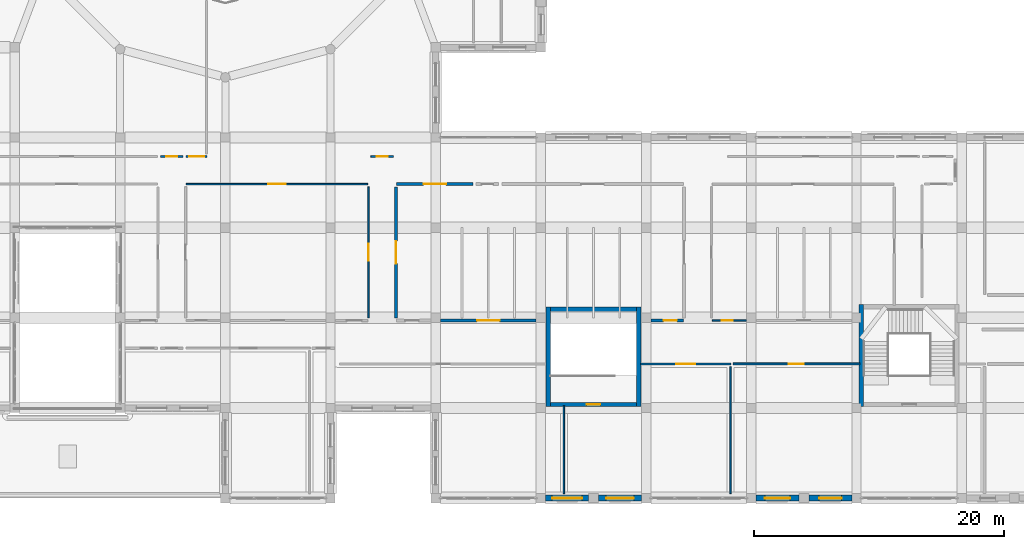
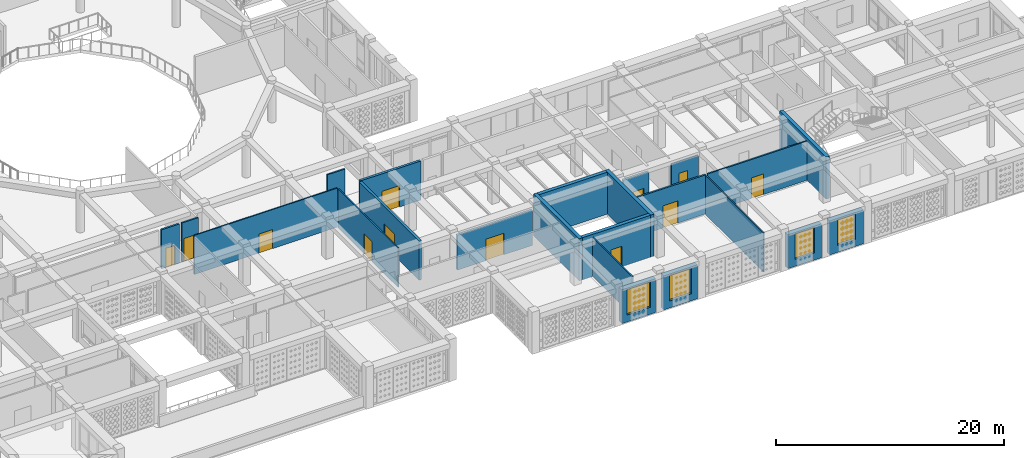
# One storey, part 62 of 111: 23 walls, 13 doors, 4 windows, 17 openings.
"""IFC4 building model written with IfcOpenShell, lengths in metres."""

from ifc_helpers import new_model, si_unit, derived_unit, direction, frame, frame_2d, origin, place, context, subcontext, project, spatial, rectangle, extrude, material, layer, layer_set, type_object, element, fill, save


model = new_model("IFC4")

# Units and contexts
model_context = context("Model", 3, precision=1e-05, world=origin(), true_north=direction((0.0, 1.0)))
body_context = subcontext(model_context, "Body", "Model", "MODEL_VIEW")
ifc_project = project(units=[si_unit("LENGTHUNIT", "METRE"), si_unit("AREAUNIT", "SQUARE_METRE"), si_unit("VOLUMEUNIT", "CUBIC_METRE"), si_unit("PLANEANGLEUNIT", "RADIAN"), si_unit("MASSUNIT", "GRAM", prefix="KILO"), derived_unit("THERMALTRANSMITTANCEUNIT", [(si_unit("POWERUNIT", "WATT"), 1), (si_unit("LENGTHUNIT", "METRE"), -2), (si_unit("THERMODYNAMICTEMPERATUREUNIT", "KELVIN"), -1)])], contexts=[model_context])

# Site, building, storey
site_placement = place(None, origin())
site = spatial("IfcSite", under=ifc_project, at=site_placement, CompositionType="ELEMENT")
building_placement = place(site_placement, origin())
building = spatial("IfcBuilding", under=site, at=building_placement, Name="Veybourne Emporium", CompositionType="ELEMENT")
storey_placement = place(building_placement, frame((0.0, 0.0, 9.89990234375)))
storey = spatial("IfcBuildingStorey", under=building, at=storey_placement, Name="L02", CompositionType="ELEMENT", Elevation=9.89990234375)

# Wall, opening, window
ifc_material_1 = material(Name="Portland Limestone Ashlar", Category="masonry")
ifc_layer_1 = layer(ifc_material_1, 0.47998046875)
ifc_layer_set_1 = layer_set([ifc_layer_1], Name="Portland Limestone Ashlar")
wall_type_1 = type_object("IfcWallType", Name="ExtWall_EW-01", PredefinedType="SOLIDWALL", material=ifc_layer_set_1)
wall_1_placement = place(storey_placement, frame((108.824951171875, 0.0, 0.0), z_axis=(0.0, 0.0, 1.0), x_axis=(-1.0, 0.0, 0.0)))
wall_1 = element("IfcWall", 1, at=wall_1_placement, inside=storey, type_object=wall_type_1, Name="L02 Portland stone external wall 061A", PredefinedType="SOLIDWALL", context=body_context, shape_type="SweptSolid", body=[
    extrude(rectangle(XDim=3.425048828125, YDim=0.47998046875, at=frame_2d((1.71240234375, 0.0))), origin(), (0.0, 0.0, 1.0), 3.630126953125),
])
opening_1_placement = place(wall_1_placement, frame((0.612548828125, 0.0, 0.75)))
opening_1 = element("IfcOpeningElement", 2, at=opening_1_placement, cuts=wall_1, Name="Opening W-46", PredefinedType="OPENING", context=body_context, shape_type="SweptSolid", body=[
    extrude(rectangle(XDim=2.199951171875, YDim=2.72998046875, at=frame_2d((1.10009765625, 1.364990234375))), frame((0.0, 0.260009765625, 0.0), z_axis=(0.0, -1.0, 0.0), x_axis=(1.0, 0.0, 0.0)), (0.0, 0.0, 1.0), 0.52001953125),
])
ifc_material_2 = material(Name="Low-E Triple Glazing", Category="glass")
window_type_1 = type_object("IfcWindowType", Name="Win_W-46", PartitioningType="TRIPLE_PANEL_VERTICAL", PredefinedType="WINDOW", material=ifc_material_2)
window_1_placement = place(opening_1_placement, origin())
window_1 = element("IfcWindow", 3, at=window_1_placement, inside=storey, type_object=window_type_1, Name="L02 tripartite bronze casement window W-46 (61A)", OverallHeight=2.72998046875, OverallWidth=2.199951171875, PartitioningType="TRIPLE_PANEL_VERTICAL", PredefinedType="WINDOW", context=body_context, shape_type="SweptSolid", body=[
    extrude(rectangle(XDim=2.199951171875, YDim=2.72998046875, at=frame_2d((1.10009765625, 1.364990234375))), frame((0.0, 0.030029296875, 0.0), z_axis=(0.0, -1.0, 0.0), x_axis=(1.0, 0.0, 0.0)), (0.0, 0.0, 1.0), 0.06005859375),
])
fill(opening_1, window_1)

wall_2_placement = place(storey_placement, frame((104.60009765625, 0.0, 0.0), z_axis=(0.0, 0.0, 1.0), x_axis=(-1.0, 0.0, 0.0)))
wall_2 = element("IfcWall", 4, at=wall_2_placement, inside=storey, type_object=wall_type_1, Name="L02 Portland stone external wall 061B", PredefinedType="SOLIDWALL", context=body_context, shape_type="SweptSolid", body=[
    extrude(rectangle(XDim=3.425048828125, YDim=0.47998046875, at=frame_2d((1.71240234375, 0.0))), origin(), (0.0, 0.0, 1.0), 3.630126953125),
])
opening_2_placement = place(wall_2_placement, frame((0.512451171875, 0.0, 0.75)))
opening_2 = element("IfcOpeningElement", 5, at=opening_2_placement, cuts=wall_2, Name="Opening W-47", PredefinedType="OPENING", context=body_context, shape_type="SweptSolid", body=[
    extrude(rectangle(XDim=2.39990234375, YDim=2.72998046875, at=frame_2d((1.199951171875, 1.364990234375))), frame((0.0, 0.260009765625, 0.0), z_axis=(0.0, -1.0, 0.0), x_axis=(1.0, 0.0, 0.0)), (0.0, 0.0, 1.0), 0.52001953125),
])
window_type_2 = type_object("IfcWindowType", Name="Win_W-47", PartitioningType="TRIPLE_PANEL_VERTICAL", PredefinedType="WINDOW", material=ifc_material_2)
window_2_placement = place(opening_2_placement, origin())
window_2 = element("IfcWindow", 6, at=window_2_placement, inside=storey, type_object=window_type_2, Name="L02 tripartite bronze casement window W-47 (61B)", OverallHeight=2.72998046875, OverallWidth=2.39990234375, PartitioningType="TRIPLE_PANEL_VERTICAL", PredefinedType="WINDOW", context=body_context, shape_type="SweptSolid", body=[
    extrude(rectangle(XDim=2.39990234375, YDim=2.72998046875, at=frame_2d((1.199951171875, 1.364990234375))), frame((0.0, 0.030029296875, 0.0), z_axis=(0.0, -1.0, 0.0), x_axis=(1.0, 0.0, 0.0)), (0.0, 0.0, 1.0), 0.06005859375),
])
fill(opening_2, window_2)

wall_3_placement = place(storey_placement, frame((125.625, 0.0, 0.0), z_axis=(0.0, 0.0, 1.0), x_axis=(-1.0, 0.0, 0.0)))
wall_3 = element("IfcWall", 7, at=wall_3_placement, inside=storey, type_object=wall_type_1, Name="L02 Portland stone external wall 065A", PredefinedType="SOLIDWALL", context=body_context, shape_type="SweptSolid", body=[
    extrude(rectangle(XDim=3.425048828125, YDim=0.47998046875, at=frame_2d((1.71240234375, 0.0))), origin(), (0.0, 0.0, 1.0), 3.630126953125),
])
opening_3_placement = place(wall_3_placement, frame((0.8125, 0.0, 0.75)))
opening_3 = element("IfcOpeningElement", 8, at=opening_3_placement, cuts=wall_3, Name="Opening W-52", PredefinedType="OPENING", context=body_context, shape_type="SweptSolid", body=[
    extrude(rectangle(XDim=1.800048828125, YDim=2.72998046875, at=frame_2d((0.89990234375, 1.364990234375))), frame((0.0, 0.260009765625, 0.0), z_axis=(0.0, -1.0, 0.0), x_axis=(1.0, 0.0, 0.0)), (0.0, 0.0, 1.0), 0.52001953125),
])
window_type_3 = type_object("IfcWindowType", Name="Win_W-52", PartitioningType="DOUBLE_PANEL_VERTICAL", PredefinedType="WINDOW", material=ifc_material_2)
window_3_placement = place(opening_3_placement, origin())
window_3 = element("IfcWindow", 9, at=window_3_placement, inside=storey, type_object=window_type_3, Name="L02 tripartite bronze casement window W-52 (65A)", OverallHeight=2.72998046875, OverallWidth=1.800048828125, PartitioningType="DOUBLE_PANEL_VERTICAL", PredefinedType="WINDOW", context=body_context, shape_type="SweptSolid", body=[
    extrude(rectangle(XDim=1.800048828125, YDim=2.72998046875, at=frame_2d((0.89990234375, 1.364990234375))), frame((0.0, 0.030029296875, 0.0), z_axis=(0.0, -1.0, 0.0), x_axis=(1.0, 0.0, 0.0)), (0.0, 0.0, 1.0), 0.06005859375),
])
fill(opening_3, window_3)

wall_4_placement = place(storey_placement, frame((121.39990234375, 0.0, 0.0), z_axis=(0.0, 0.0, 1.0), x_axis=(-1.0, 0.0, 0.0)))
wall_4 = element("IfcWall", 10, at=wall_4_placement, inside=storey, type_object=wall_type_1, Name="L02 Portland stone external wall 065B", PredefinedType="SOLIDWALL", context=body_context, shape_type="SweptSolid", body=[
    extrude(rectangle(XDim=3.4248046875, YDim=0.47998046875, at=frame_2d((1.71240234375, 0.0))), origin(), (0.0, 0.0, 1.0), 3.630126953125),
])
opening_4_placement = place(wall_4_placement, frame((0.71240234375, 0.0, 0.75)))
opening_4 = element("IfcOpeningElement", 11, at=opening_4_placement, cuts=wall_4, Name="Opening W-53", PredefinedType="OPENING", context=body_context, shape_type="SweptSolid", body=[
    extrude(rectangle(XDim=2.0, YDim=2.72998046875, at=frame_2d((1.0, 1.364990234375))), frame((0.0, 0.260009765625, 0.0), z_axis=(0.0, -1.0, 0.0), x_axis=(1.0, 0.0, 0.0)), (0.0, 0.0, 1.0), 0.52001953125),
])
window_type_4 = type_object("IfcWindowType", Name="Win_W-53", PartitioningType="TRIPLE_PANEL_VERTICAL", PredefinedType="WINDOW", material=ifc_material_2)
window_4_placement = place(opening_4_placement, origin())
window_4 = element("IfcWindow", 12, at=window_4_placement, inside=storey, type_object=window_type_4, Name="L02 tripartite bronze casement window W-53 (65B)", OverallHeight=2.72998046875, OverallWidth=2.0, PartitioningType="TRIPLE_PANEL_VERTICAL", PredefinedType="WINDOW", context=body_context, shape_type="SweptSolid", body=[
    extrude(rectangle(XDim=2.0, YDim=2.72998046875, at=frame_2d((1.0, 1.364990234375))), frame((0.0, 0.030029296875, 0.0), z_axis=(0.0, -1.0, 0.0), x_axis=(1.0, 0.0, 0.0)), (0.0, 0.0, 1.0), 0.06005859375),
])
fill(opening_4, window_4)

# Wall
ifc_material_3 = material(Name="Concrete C40/50", Category="concrete")
ifc_layer_2 = layer(ifc_material_3, 0.35009765625)
ifc_layer_set_2 = layer_set([ifc_layer_2], Name="Concrete C40/50")
wall_type_2 = type_object("IfcWallType", Name="IntWall_CW-02", PredefinedType="SHEAR", material=ifc_layer_set_2)
wall_5_placement = place(storey_placement, frame((126.375, 15.449951171875, 0.0), z_axis=(0.0, 0.0, 1.0), x_axis=(0.0, -1.0, 0.0)))
element("IfcWall", 13, at=wall_5_placement, inside=storey, type_object=wall_type_2, Name="Core stair ST-06 west shear wall (L02)", PredefinedType="SHEAR", context=body_context, shape_type="SweptSolid", body=[
    extrude(rectangle(XDim=8.14990234375, YDim=0.35009765625, at=frame_2d((4.074951171875, 0.0))), origin(), (0.0, 0.0, 1.0), 4.5),
])

# Wall, opening, door
wall_6_placement = place(storey_placement, frame((108.449951171875, 7.47509765625, 0.0), z_axis=(0.0, 0.0, 1.0), x_axis=(-1.0, 0.0, 0.0)))
wall_6 = element("IfcWall", 14, at=wall_6_placement, inside=storey, type_object=wall_type_2, Name="Core stair ST-11 south shear wall (L02)", PredefinedType="SHEAR", context=body_context, shape_type="SweptSolid", body=[
    extrude(rectangle(XDim=6.89990234375, YDim=0.35009765625, at=frame_2d((3.449951171875, 0.0))), origin(), (0.0, 0.0, 1.0), 4.5),
])
opening_5_placement = place(wall_6_placement, frame((2.89990234375, 0.0, 0.0)))
opening_5 = element("IfcOpeningElement", 15, at=opening_5_placement, cuts=wall_6, Name="Opening FD-01", PredefinedType="OPENING", context=body_context, shape_type="SweptSolid", body=[
    extrude(rectangle(XDim=1.10009765625, YDim=2.199951171875, at=frame_2d((0.550048828125, 1.10009765625))), frame((0.0, 0.195068359375, 0.0), z_axis=(0.0, -1.0, 0.0), x_axis=(1.0, 0.0, 0.0)), (0.0, 0.0, 1.0), 0.39013671875),
])
ifc_material_4 = material(Name="Patinated Architectural Bronze", Category="bronze")
door_type_1 = type_object("IfcDoorType", Name="FireDoor_FD-01", OperationType="NOTDEFINED", PredefinedType="DOOR", material=ifc_material_4)
door_1_placement = place(opening_5_placement, origin())
door_1 = element("IfcDoor", 16, at=door_1_placement, inside=storey, type_object=door_type_1, Name="Stair ST-11 fire door (L02)", OperationType="SINGLE_SWING_RIGHT", OverallHeight=2.199951171875, OverallWidth=1.10009765625, PredefinedType="DOOR", context=body_context, shape_type="SweptSolid", body=[
    extrude(rectangle(XDim=1.10009765625, YDim=2.199951171875, at=frame_2d((0.550048828125, 1.10009765625))), frame((0.0, 0.02490234375, 0.0), z_axis=(0.0, -1.0, 0.0), x_axis=(1.0, 0.0, 0.0)), (0.0, 0.0, 1.0), 0.050048828125),
])
fill(opening_5, door_1)

# Walls
wall_7_placement = place(storey_placement, frame((101.550048828125, 15.074951171875, 0.0), z_axis=(0.0, 0.0, 1.0), x_axis=(1.0, 0.0, 0.0)))
element("IfcWall", 17, at=wall_7_placement, inside=storey, type_object=wall_type_2, Name="Core stair ST-11 north shear wall (L02)", PredefinedType="SHEAR", context=body_context, shape_type="SweptSolid", body=[
    extrude(rectangle(XDim=6.89990234375, YDim=0.35009765625, at=frame_2d((3.449951171875, 0.0))), origin(), (0.0, 0.0, 1.0), 4.5),
])
for number, where, z_axis, x_axis, name in (
    (18, (101.375, 15.25, 0.0), (0.0, 0.0, 1.0), (0.0, -1.0, 0.0), "Core stair ST-11 west shear wall (L02)"),
    (19, (108.625, 7.300048828125, 0.0), (0.0, 0.0, 1.0), (0.0, 1.0, 0.0), "Core stair ST-11 east shear wall (L02)"),
):
    element("IfcWall", number, at=place(storey_placement, frame(where, z_axis=z_axis, x_axis=x_axis)), inside=storey, type_object=wall_type_2, Name=name, PredefinedType="SHEAR", context=body_context, shape_type="SweptSolid", body=[
        extrude(rectangle(XDim=7.949951171875, YDim=0.35009765625, at=frame_2d((3.97509765625, 0.0))), origin(), (0.0, 0.0, 1.0), 4.5),
    ])

# Wall, opening, door
ifc_material_5 = material(Name="Concrete C32/40", Category="concrete")
ifc_layer_3 = layer(ifc_material_5, 0.25)
ifc_layer_set_3 = layer_set([ifc_layer_3], Name="Concrete C32/40")
wall_type_3 = type_object("IfcWallType", Name="IntWall_FW-01", PredefinedType="SOLIDWALL", material=ifc_layer_set_3)
wall_8_placement = place(storey_placement, frame((92.794921875, 14.179931640625, 0.0), z_axis=(0.0, 0.0, 1.0), x_axis=(1.0, 0.0, 0.0)))
wall_8 = element("IfcWall", 20, at=wall_8_placement, inside=storey, type_object=wall_type_3, Name="L02 interior partition FW-01 #044", PredefinedType="SOLIDWALL", context=body_context, shape_type="SweptSolid", body=[
    extrude(rectangle(XDim=7.610107421875, YDim=0.25, at=frame_2d((3.80517578125, 0.0))), origin(), (0.0, 0.0, 1.0), 3.72998046875),
])
opening_6_placement = place(wall_8_placement, frame((2.905029296875, 0.0, 0.0)))
opening_6 = element("IfcOpeningElement", 21, at=opening_6_placement, cuts=wall_8, Name="Opening FD-03", PredefinedType="OPENING", context=body_context, shape_type="SweptSolid", body=[
    extrude(rectangle(XDim=1.800048828125, YDim=2.300048828125, at=frame_2d((0.89990234375, 1.14990234375))), frame((0.0, 0.14501953125, 0.0), z_axis=(0.0, -1.0, 0.0), x_axis=(1.0, 0.0, 0.0)), (0.0, 0.0, 1.0), 0.2900390625),
])
door_type_2 = type_object("IfcDoorType", Name="FireDoor_FD-03", OperationType="DOUBLE_DOOR_SINGLE_SWING", PredefinedType="DOOR", material=ifc_material_4)
door_2_placement = place(opening_6_placement, origin())
door_2 = element("IfcDoor", 22, at=door_2_placement, inside=storey, type_object=door_type_2, Name="L02 interior door FD-03 (PART-L02-044)", OperationType="DOUBLE_DOOR_SINGLE_SWING", OverallHeight=2.300048828125, OverallWidth=1.800048828125, PredefinedType="DOOR", context=body_context, shape_type="SweptSolid", body=[
    extrude(rectangle(XDim=1.800048828125, YDim=2.300048828125, at=frame_2d((0.89990234375, 1.14990234375))), frame((0.0, 0.02490234375, 0.0), z_axis=(0.0, -1.0, 0.0), x_axis=(1.0, 0.0, 0.0)), (0.0, 0.0, 1.0), 0.050048828125),
])
fill(opening_6, door_2)

wall_9_placement = place(storey_placement, frame((89.22998046875, 14.389892578125, 0.0), z_axis=(0.0, 0.0, 1.0), x_axis=(0.0, 1.0, 0.0)))
wall_9 = element("IfcWall", 23, at=wall_9_placement, inside=storey, type_object=wall_type_3, Name="L02 interior partition FW-01 #064", PredefinedType="SOLIDWALL", context=body_context, shape_type="SweptSolid", body=[
    extrude(rectangle(XDim=10.47021484375, YDim=0.25, at=frame_2d((5.235107421875, 0.0))), origin(), (0.0, 0.0, 1.0), 4.18017578125),
])
opening_7_placement = place(wall_9_placement, frame((4.3349609375, 0.0, 0.0)))
opening_7 = element("IfcOpeningElement", 24, at=opening_7_placement, cuts=wall_9, Name="Opening FD-03", PredefinedType="OPENING", context=body_context, shape_type="SweptSolid", body=[
    extrude(rectangle(XDim=1.800048828125, YDim=2.300048828125, at=frame_2d((0.89990234375, 1.14990234375))), frame((0.0, 0.14501953125, 0.0), z_axis=(0.0, -1.0, 0.0), x_axis=(1.0, 0.0, 0.0)), (0.0, 0.0, 1.0), 0.2900390625),
])
door_3_placement = place(opening_7_placement, origin())
door_3 = element("IfcDoor", 25, at=door_3_placement, inside=storey, type_object=door_type_2, Name="L02 interior door FD-03 (PART-L02-064)", OperationType="DOUBLE_DOOR_SINGLE_SWING", OverallHeight=2.300048828125, OverallWidth=1.800048828125, PredefinedType="DOOR", context=body_context, shape_type="SweptSolid", body=[
    extrude(rectangle(XDim=1.800048828125, YDim=2.300048828125, at=frame_2d((0.89990234375, 1.14990234375))), frame((0.0, 0.02490234375, 0.0), z_axis=(0.0, -1.0, 0.0), x_axis=(1.0, 0.0, 0.0)), (0.0, 0.0, 1.0), 0.050048828125),
])
fill(opening_7, door_3)

wall_10_placement = place(storey_placement, frame((89.280029296875, 25.070068359375, 0.0), z_axis=(0.0, 0.0, 1.0), x_axis=(1.0, 0.0, 0.0)))
wall_10 = element("IfcWall", 26, at=wall_10_placement, inside=storey, type_object=wall_type_3, Name="L02 interior partition FW-01 #082", PredefinedType="SOLIDWALL", context=body_context, shape_type="SweptSolid", body=[
    extrude(rectangle(XDim=6.090087890625, YDim=0.25, at=frame_2d((3.044921875, 0.0))), origin(), (0.0, 0.0, 1.0), 4.18017578125),
])
opening_8_placement = place(wall_10_placement, frame((2.14501953125, 0.0, 0.0)))
opening_8 = element("IfcOpeningElement", 27, at=opening_8_placement, cuts=wall_10, Name="Opening FD-03", PredefinedType="OPENING", context=body_context, shape_type="SweptSolid", body=[
    extrude(rectangle(XDim=1.800048828125, YDim=2.300048828125, at=frame_2d((0.89990234375, 1.14990234375))), frame((0.0, 0.14501953125, 0.0), z_axis=(0.0, -1.0, 0.0), x_axis=(1.0, 0.0, 0.0)), (0.0, 0.0, 1.0), 0.2900390625),
])
door_4_placement = place(opening_8_placement, origin())
door_4 = element("IfcDoor", 28, at=door_4_placement, inside=storey, type_object=door_type_2, Name="L02 interior door FD-03 (PART-L02-082)", OperationType="DOUBLE_DOOR_SINGLE_SWING", OverallHeight=2.300048828125, OverallWidth=1.800048828125, PredefinedType="DOOR", context=body_context, shape_type="SweptSolid", body=[
    extrude(rectangle(XDim=1.800048828125, YDim=2.300048828125, at=frame_2d((0.89990234375, 1.14990234375))), frame((0.0, 0.02490234375, 0.0), z_axis=(0.0, -1.0, 0.0), x_axis=(1.0, 0.0, 0.0)), (0.0, 0.0, 1.0), 0.050048828125),
])
fill(opening_8, door_4)

wall_11_placement = place(storey_placement, frame((109.594970703125, 14.179931640625, 0.0), z_axis=(0.0, 0.0, 1.0), x_axis=(1.0, 0.0, 0.0)))
wall_11 = element("IfcWall", 29, at=wall_11_placement, inside=storey, type_object=wall_type_3, Name="L02 interior partition FW-01 #100", PredefinedType="SOLIDWALL", context=body_context, shape_type="SweptSolid", body=[
    extrude(rectangle(XDim=2.574951171875, YDim=0.25, at=frame_2d((1.28759765625, 0.0))), origin(), (0.0, 0.0, 1.0), 3.72998046875),
])
opening_9_placement = place(wall_11_placement, frame((1.006591796875, 0.0, 0.0)))
opening_9 = element("IfcOpeningElement", 30, at=opening_9_placement, cuts=wall_11, Name="Opening FD-02", PredefinedType="OPENING", context=body_context, shape_type="SweptSolid", body=[
    extrude(rectangle(XDim=1.050048828125, YDim=2.14990234375, at=frame_2d((0.52490234375, 1.074951171875))), frame((0.0, 0.14501953125, 0.0), z_axis=(0.0, -1.0, 0.0), x_axis=(1.0, 0.0, 0.0)), (0.0, 0.0, 1.0), 0.2900390625),
])
door_type_3 = type_object("IfcDoorType", Name="FireDoor_FD-02", OperationType="NOTDEFINED", PredefinedType="DOOR", material=ifc_material_4)
door_5_placement = place(opening_9_placement, origin())
door_5 = element("IfcDoor", 31, at=door_5_placement, inside=storey, type_object=door_type_3, Name="L02 interior door FD-02 (PART-L02-100)", OperationType="SINGLE_SWING_RIGHT", OverallHeight=2.14990234375, OverallWidth=1.050048828125, PredefinedType="DOOR", context=body_context, shape_type="SweptSolid", body=[
    extrude(rectangle(XDim=1.050048828125, YDim=2.14990234375, at=frame_2d((0.52490234375, 1.074951171875))), frame((0.0, 0.02490234375, 0.0), z_axis=(0.0, -1.0, 0.0), x_axis=(1.0, 0.0, 0.0)), (0.0, 0.0, 1.0), 0.050048828125),
])
fill(opening_9, door_5)

ifc_material_6 = material(Name="Gypsum Acoustic Board", Category="gypsum")
ifc_layer_4 = layer(ifc_material_6, 0.179931640625)
ifc_layer_set_4 = layer_set([ifc_layer_4], Name="Gypsum Acoustic Board")
wall_type_4 = type_object("IfcWallType", Name="IntWall_IW-01", PredefinedType="PARTITIONING", material=ifc_layer_set_4)
wall_12_placement = place(storey_placement, frame((108.739990234375, 10.719970703125, 0.0), z_axis=(0.0, 0.0, 1.0), x_axis=(1.0, 0.0, 0.0)))
wall_12 = element("IfcWall", 32, at=wall_12_placement, inside=storey, type_object=wall_type_4, Name="L02 interior partition IW-01 #081", PredefinedType="PARTITIONING", context=body_context, shape_type="SweptSolid", body=[
    extrude(rectangle(XDim=7.239990234375, YDim=0.179931640625, at=frame_2d((3.6201171875, 0.0))), origin(), (0.0, 0.0, 1.0), 4.18017578125),
])
opening_10_placement = place(wall_12_placement, frame((2.860107421875, 0.0, 0.0)))
opening_10 = element("IfcOpeningElement", 33, at=opening_10_placement, cuts=wall_12, Name="Opening D-29", PredefinedType="OPENING", context=body_context, shape_type="SweptSolid", body=[
    extrude(rectangle(XDim=1.52001953125, YDim=2.3701171875, at=frame_2d((0.760009765625, 1.18505859375))), frame((0.0, 0.10986328125, 0.0), z_axis=(0.0, -1.0, 0.0), x_axis=(1.0, 0.0, 0.0)), (0.0, 0.0, 1.0), 0.219970703125),
])
ifc_material_7 = material(Name="European Oak Veneer and Bronze", Category="wood")
door_type_4 = type_object("IfcDoorType", Name="IntDoor_D-29", OperationType="NOTDEFINED", PredefinedType="DOOR", material=ifc_material_7)
door_6_placement = place(opening_10_placement, origin())
door_6 = element("IfcDoor", 34, at=door_6_placement, inside=storey, type_object=door_type_4, Name="L02 interior door D-29 (PART-L02-081)", OperationType="SINGLE_SWING_LEFT", OverallHeight=2.3701171875, OverallWidth=1.52001953125, PredefinedType="DOOR", context=body_context, shape_type="SweptSolid", body=[
    extrude(rectangle(XDim=1.52001953125, YDim=2.3701171875, at=frame_2d((0.760009765625, 1.18505859375))), frame((0.0, 0.02490234375, 0.0), z_axis=(0.0, -1.0, 0.0), x_axis=(1.0, 0.0, 0.0)), (0.0, 0.0, 1.0), 0.050048828125),
])
fill(opening_10, door_6)

wall_13_placement = place(storey_placement, frame((70.429931640625, 27.280029296875, 0.0), z_axis=(0.0, 0.0, 1.0), x_axis=(1.0, 0.0, 0.0)))
wall_13 = element("IfcWall", 35, at=wall_13_placement, inside=storey, type_object=wall_type_4, Name="L02 interior partition IW-01 #153", PredefinedType="PARTITIONING", context=body_context, shape_type="SweptSolid", body=[
    extrude(rectangle(XDim=1.7900390625, YDim=0.179931640625, at=frame_2d((0.89501953125, 0.0))), origin(), (0.0, 0.0, 1.0), 4.18017578125),
])
opening_11_placement = place(wall_13_placement, frame((0.455078125, 0.0, 0.0)))
opening_11 = element("IfcOpeningElement", 36, at=opening_11_placement, cuts=wall_13, Name="Opening D-01", PredefinedType="OPENING", context=body_context, shape_type="SweptSolid", body=[
    extrude(rectangle(XDim=0.8798828125, YDim=2.050048828125, at=frame_2d((0.43994140625, 1.02490234375))), frame((0.0, 0.10986328125, 0.0), z_axis=(0.0, -1.0, 0.0), x_axis=(1.0, 0.0, 0.0)), (0.0, 0.0, 1.0), 0.219970703125),
])
door_type_5 = type_object("IfcDoorType", Name="IntDoor_D-01", OperationType="NOTDEFINED", PredefinedType="DOOR", material=ifc_material_7)
door_7_placement = place(opening_11_placement, origin())
door_7 = element("IfcDoor", 37, at=door_7_placement, inside=storey, type_object=door_type_5, Name="L02 interior door D-01 (PART-L02-153)", OperationType="SINGLE_SWING_LEFT", OverallHeight=2.050048828125, OverallWidth=0.8798828125, PredefinedType="DOOR", context=body_context, shape_type="SweptSolid", body=[
    extrude(rectangle(XDim=0.8798828125, YDim=2.050048828125, at=frame_2d((0.43994140625, 1.02490234375))), frame((0.0, 0.02490234375, 0.0), z_axis=(0.0, -1.0, 0.0), x_axis=(1.0, 0.0, 0.0)), (0.0, 0.0, 1.0), 0.050048828125),
])
fill(opening_11, door_7)

ifc_layer_5 = layer(ifc_material_6, 0.14990234375)
ifc_layer_set_5 = layer_set([ifc_layer_5], Name="Gypsum Acoustic Board")
wall_type_5 = type_object("IfcWallType", Name="IntWall_IW-02", PredefinedType="PARTITIONING", material=ifc_layer_set_5)
wall_14_placement = place(storey_placement, frame((116.139892578125, 10.719970703125, 0.0), z_axis=(0.0, 0.0, 1.0), x_axis=(1.0, 0.0, 0.0)))
wall_14 = element("IfcWall", 38, at=wall_14_placement, inside=storey, type_object=wall_type_5, Name="L02 interior partition IW-02 #067", PredefinedType="PARTITIONING", context=body_context, shape_type="SweptSolid", body=[
    extrude(rectangle(XDim=10.1201171875, YDim=0.14990234375, at=frame_2d((5.06005859375, 0.0))), origin(), (0.0, 0.0, 1.0), 4.18017578125),
])
opening_12_placement = place(wall_14_placement, frame((4.4599609375, 0.0, 0.0)))
opening_12 = element("IfcOpeningElement", 39, at=opening_12_placement, cuts=wall_14, Name="Opening D-15", PredefinedType="OPENING", context=body_context, shape_type="SweptSolid", body=[
    extrude(rectangle(XDim=1.199951171875, YDim=2.2099609375, at=frame_2d((0.60009765625, 1.10498046875))), frame((0.0, 0.094970703125, 0.0), z_axis=(0.0, -1.0, 0.0), x_axis=(1.0, 0.0, 0.0)), (0.0, 0.0, 1.0), 0.18994140625),
])
door_type_6 = type_object("IfcDoorType", Name="IntDoor_D-15", OperationType="NOTDEFINED", PredefinedType="DOOR", material=ifc_material_7)
door_8_placement = place(opening_12_placement, origin())
door_8 = element("IfcDoor", 40, at=door_8_placement, inside=storey, type_object=door_type_6, Name="L02 interior door D-15 (PART-L02-067)", OperationType="SINGLE_SWING_RIGHT", OverallHeight=2.2099609375, OverallWidth=1.199951171875, PredefinedType="DOOR", context=body_context, shape_type="SweptSolid", body=[
    extrude(rectangle(XDim=1.199951171875, YDim=2.2099609375, at=frame_2d((0.60009765625, 1.10498046875))), frame((0.0, 0.02490234375, 0.0), z_axis=(0.0, -1.0, 0.0), x_axis=(1.0, 0.0, 0.0)), (0.0, 0.0, 1.0), 0.050048828125),
])
fill(opening_12, door_8)

wall_15_placement = place(storey_placement, frame((87.22998046875, 27.280029296875, 0.0), z_axis=(0.0, 0.0, 1.0), x_axis=(1.0, 0.0, 0.0)))
wall_15 = element("IfcWall", 41, at=wall_15_placement, inside=storey, type_object=wall_type_5, Name="L02 interior partition IW-02 #142", PredefinedType="PARTITIONING", context=body_context, shape_type="SweptSolid", body=[
    extrude(rectangle(XDim=1.7900390625, YDim=0.14990234375, at=frame_2d((0.89501953125, 0.0))), origin(), (0.0, 0.0, 1.0), 4.18017578125),
])
opening_13_placement = place(wall_15_placement, frame((0.455078125, 0.0, 0.0)))
opening_13 = element("IfcOpeningElement", 42, at=opening_13_placement, cuts=wall_15, Name="Opening D-01", PredefinedType="OPENING", context=body_context, shape_type="SweptSolid", body=[
    extrude(rectangle(XDim=0.8798828125, YDim=2.050048828125, at=frame_2d((0.43994140625, 1.02490234375))), frame((0.0, 0.094970703125, 0.0), z_axis=(0.0, -1.0, 0.0), x_axis=(1.0, 0.0, 0.0)), (0.0, 0.0, 1.0), 0.18994140625),
])
door_9_placement = place(opening_13_placement, origin())
door_9 = element("IfcDoor", 43, at=door_9_placement, inside=storey, type_object=door_type_5, Name="L02 interior door D-01 (PART-L02-142)", OperationType="SINGLE_SWING_LEFT", OverallHeight=2.050048828125, OverallWidth=0.8798828125, PredefinedType="DOOR", context=body_context, shape_type="SweptSolid", body=[
    extrude(rectangle(XDim=0.8798828125, YDim=2.050048828125, at=frame_2d((0.43994140625, 1.02490234375))), frame((0.0, 0.02490234375, 0.0), z_axis=(0.0, -1.0, 0.0), x_axis=(1.0, 0.0, 0.0)), (0.0, 0.0, 1.0), 0.050048828125),
])
fill(opening_13, door_9)

wall_16_placement = place(storey_placement, frame((72.47998046875, 27.280029296875, 0.0), z_axis=(0.0, 0.0, 1.0), x_axis=(1.0, 0.0, 0.0)))
wall_16 = element("IfcWall", 44, at=wall_16_placement, inside=storey, type_object=wall_type_5, Name="L02 interior partition IW-02 #157", PredefinedType="PARTITIONING", context=body_context, shape_type="SweptSolid", body=[
    extrude(rectangle(XDim=1.675048828125, YDim=0.14990234375, at=frame_2d((0.83740234375, 0.0))), origin(), (0.0, 0.0, 1.0), 4.18017578125),
])
opening_14_placement = place(wall_16_placement, frame((0.237548828125, 0.0, 0.0)))
opening_14 = element("IfcOpeningElement", 45, at=opening_14_placement, cuts=wall_16, Name="Opening D-33", PredefinedType="OPENING", context=body_context, shape_type="SweptSolid", body=[
    extrude(rectangle(XDim=1.199951171875, YDim=2.449951171875, at=frame_2d((0.60009765625, 1.22509765625))), frame((0.0, 0.094970703125, 0.0), z_axis=(0.0, -1.0, 0.0), x_axis=(1.0, 0.0, 0.0)), (0.0, 0.0, 1.0), 0.18994140625),
])
door_type_7 = type_object("IfcDoorType", Name="IntDoor_D-33", OperationType="NOTDEFINED", PredefinedType="DOOR", material=ifc_material_7)
door_10_placement = place(opening_14_placement, origin())
door_10 = element("IfcDoor", 46, at=door_10_placement, inside=storey, type_object=door_type_7, Name="L02 interior door D-33 (PART-L02-157)", OperationType="SINGLE_SWING_LEFT", OverallHeight=2.449951171875, OverallWidth=1.199951171875, PredefinedType="DOOR", context=body_context, shape_type="SweptSolid", body=[
    extrude(rectangle(XDim=1.199951171875, YDim=2.449951171875, at=frame_2d((0.60009765625, 1.22509765625))), frame((0.0, 0.02490234375, 0.0), z_axis=(0.0, -1.0, 0.0), x_axis=(1.0, 0.0, 0.0)), (0.0, 0.0, 1.0), 0.050048828125),
])
fill(opening_14, door_10)

ifc_layer_6 = layer(ifc_material_6, 0.1201171875)
ifc_layer_set_6 = layer_set([ifc_layer_6], Name="Gypsum Acoustic Board")
wall_type_6 = type_object("IfcWallType", Name="IntWall_IW-03", PredefinedType="PARTITIONING", material=ifc_layer_set_6)
wall_17_placement = place(storey_placement, frame((72.47998046875, 25.070068359375, 0.0), z_axis=(0.0, 0.0, 1.0), x_axis=(1.0, 0.0, 0.0)))
wall_17 = element("IfcWall", 47, at=wall_17_placement, inside=storey, type_object=wall_type_6, Name="L02 interior partition IW-03 #020", PredefinedType="PARTITIONING", context=body_context, shape_type="SweptSolid", body=[
    extrude(rectangle(XDim=14.489990234375, YDim=0.1201171875, at=frame_2d((7.2451171875, 0.0))), origin(), (0.0, 0.0, 1.0), 4.18017578125),
])
opening_15_placement = place(wall_17_placement, frame((6.56494140625, 0.0, 0.0)))
opening_15 = element("IfcOpeningElement", 48, at=opening_15_placement, cuts=wall_17, Name="Opening D-04", PredefinedType="OPENING", context=body_context, shape_type="SweptSolid", body=[
    extrude(rectangle(XDim=1.360107421875, YDim=2.050048828125, at=frame_2d((0.68017578125, 1.02490234375))), frame((0.0, 0.080078125, 0.0), z_axis=(0.0, -1.0, 0.0), x_axis=(1.0, 0.0, 0.0)), (0.0, 0.0, 1.0), 0.16015625),
])
door_type_8 = type_object("IfcDoorType", Name="IntDoor_D-04", OperationType="NOTDEFINED", PredefinedType="DOOR", material=ifc_material_7)
door_11_placement = place(opening_15_placement, origin())
door_11 = element("IfcDoor", 49, at=door_11_placement, inside=storey, type_object=door_type_8, Name="L02 interior door D-04 (PART-L02-020)", OperationType="SINGLE_SWING_LEFT", OverallHeight=2.050048828125, OverallWidth=1.360107421875, PredefinedType="DOOR", context=body_context, shape_type="SweptSolid", body=[
    extrude(rectangle(XDim=1.360107421875, YDim=2.050048828125, at=frame_2d((0.68017578125, 1.02490234375))), frame((0.0, 0.02490234375, 0.0), z_axis=(0.0, -1.0, 0.0), x_axis=(1.0, 0.0, 0.0)), (0.0, 0.0, 1.0), 0.050048828125),
])
fill(opening_15, door_11)

wall_18_placement = place(storey_placement, frame((114.47998046875, 14.179931640625, 0.0), z_axis=(0.0, 0.0, 1.0), x_axis=(1.0, 0.0, 0.0)))
wall_18 = element("IfcWall", 50, at=wall_18_placement, inside=storey, type_object=wall_type_6, Name="L02 interior partition IW-03 #047", PredefinedType="PARTITIONING", context=body_context, shape_type="SweptSolid", body=[
    extrude(rectangle(XDim=2.72509765625, YDim=0.1201171875, at=frame_2d((1.362548828125, 0.0))), origin(), (0.0, 0.0, 1.0), 3.72998046875),
])
opening_16_placement = place(wall_18_placement, frame((0.77490234375, 0.0, 0.0)))
opening_16 = element("IfcOpeningElement", 51, at=opening_16_placement, cuts=wall_18, Name="Opening D-31", PredefinedType="OPENING", context=body_context, shape_type="SweptSolid", body=[
    extrude(rectangle(XDim=0.8798828125, YDim=2.449951171875, at=frame_2d((0.43994140625, 1.22509765625))), frame((0.0, 0.080078125, 0.0), z_axis=(0.0, -1.0, 0.0), x_axis=(1.0, 0.0, 0.0)), (0.0, 0.0, 1.0), 0.16015625),
])
door_type_9 = type_object("IfcDoorType", Name="IntDoor_D-31", OperationType="NOTDEFINED", PredefinedType="DOOR", material=ifc_material_7)
door_12_placement = place(opening_16_placement, origin())
door_12 = element("IfcDoor", 52, at=door_12_placement, inside=storey, type_object=door_type_9, Name="L02 interior door D-31 (PART-L02-047)", OperationType="SINGLE_SWING_RIGHT", OverallHeight=2.449951171875, OverallWidth=0.8798828125, PredefinedType="DOOR", context=body_context, shape_type="SweptSolid", body=[
    extrude(rectangle(XDim=0.8798828125, YDim=2.449951171875, at=frame_2d((0.43994140625, 1.22509765625))), frame((0.0, 0.02490234375, 0.0), z_axis=(0.0, -1.0, 0.0), x_axis=(1.0, 0.0, 0.0)), (0.0, 0.0, 1.0), 0.050048828125),
])
fill(opening_16, door_12)

wall_19_placement = place(storey_placement, frame((87.02001953125, 14.389892578125, 0.0), z_axis=(0.0, 0.0, 1.0), x_axis=(0.0, 1.0, 0.0)))
wall_19 = element("IfcWall", 53, at=wall_19_placement, inside=storey, type_object=wall_type_6, Name="L02 interior partition IW-03 #062", PredefinedType="PARTITIONING", context=body_context, shape_type="SweptSolid", body=[
    extrude(rectangle(XDim=10.47021484375, YDim=0.1201171875, at=frame_2d((5.235107421875, 0.0))), origin(), (0.0, 0.0, 1.0), 4.18017578125),
])
opening_17_placement = place(wall_19_placement, frame((4.554931640625, 0.0, 0.0)))
opening_17 = element("IfcOpeningElement", 54, at=opening_17_placement, cuts=wall_19, Name="Opening D-10", PredefinedType="OPENING", context=body_context, shape_type="SweptSolid", body=[
    extrude(rectangle(XDim=1.360107421875, YDim=2.1298828125, at=frame_2d((0.68017578125, 1.06494140625))), frame((0.0, 0.080078125, 0.0), z_axis=(0.0, -1.0, 0.0), x_axis=(1.0, 0.0, 0.0)), (0.0, 0.0, 1.0), 0.16015625),
])
door_type_10 = type_object("IfcDoorType", Name="IntDoor_D-10", OperationType="NOTDEFINED", PredefinedType="DOOR", material=ifc_material_7)
door_13_placement = place(opening_17_placement, origin())
door_13 = element("IfcDoor", 55, at=door_13_placement, inside=storey, type_object=door_type_10, Name="L02 interior door D-10 (PART-L02-062)", OperationType="SINGLE_SWING_LEFT", OverallHeight=2.1298828125, OverallWidth=1.360107421875, PredefinedType="DOOR", context=body_context, shape_type="SweptSolid", body=[
    extrude(rectangle(XDim=1.360107421875, YDim=2.1298828125, at=frame_2d((0.68017578125, 1.06494140625))), frame((0.0, 0.02490234375, 0.0), z_axis=(0.0, -1.0, 0.0), x_axis=(1.0, 0.0, 0.0)), (0.0, 0.0, 1.0), 0.050048828125),
])
fill(opening_17, door_13)

# Walls
wall_20_placement = place(storey_placement, frame((115.929931640625, 0.3701171875, 0.0), z_axis=(0.0, 0.0, 1.0), x_axis=(0.0, 1.0, 0.0)))
element("IfcWall", 56, at=wall_20_placement, inside=storey, type_object=wall_type_6, Name="L02 interior partition IW-03 #182", PredefinedType="PARTITIONING", context=body_context, shape_type="SweptSolid", body=[
    extrude(rectangle(XDim=10.139892578125, YDim=0.1201171875, at=frame_2d((5.06982421875, 0.0))), origin(), (0.0, 0.0, 1.0), 4.18017578125),
])
wall_21_placement = place(storey_placement, frame((102.6298828125, 0.3701171875, 0.0), z_axis=(0.0, 0.0, 1.0), x_axis=(0.0, 1.0, 0.0)))
element("IfcWall", 57, at=wall_21_placement, inside=storey, type_object=wall_type_6, Name="L02 interior partition IW-03 #191", PredefinedType="PARTITIONING", context=body_context, shape_type="SweptSolid", body=[
    extrude(rectangle(XDim=6.989990234375, YDim=0.1201171875, at=frame_2d((3.4951171875, 0.0))), origin(), (0.0, 0.0, 1.0), 4.18017578125),
])

save(model, "model.ifc")
